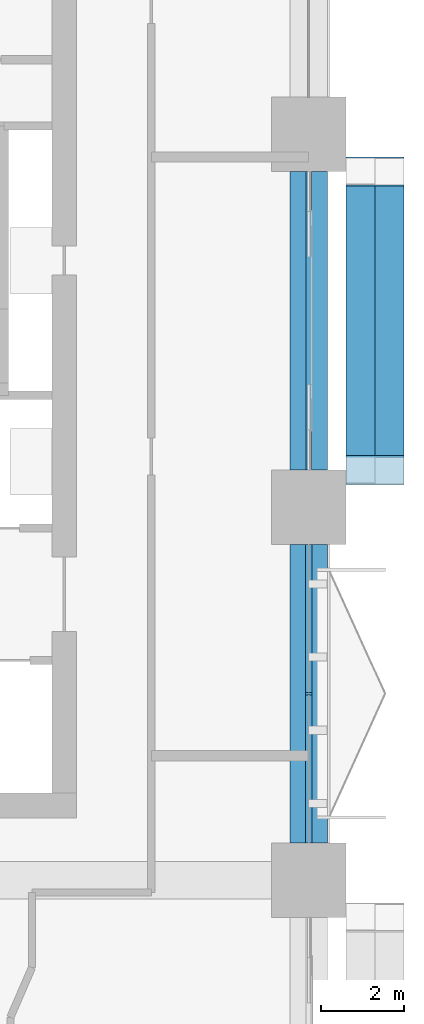
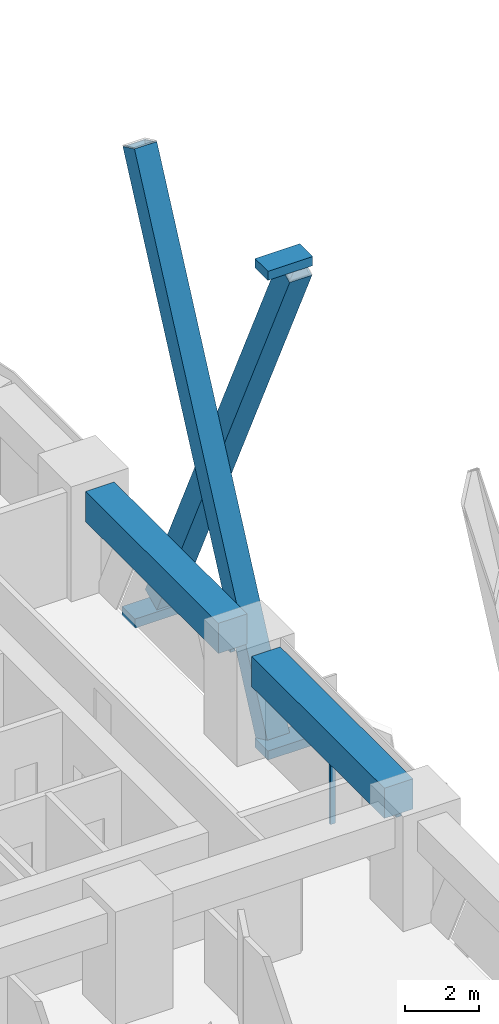
# One storey, part 8 of 22: 8 members, 2 beams, 2 elements without a shape of their own.
"""IFC4 building model written with IfcOpenShell, lengths in metres."""

from ifc_helpers import new_model, si_unit, direction, frame, origin, origin_2d, place, context, subcontext, project, spatial, rectangle, hollow_rectangle, extrude, material, layer, layer_set, material_profile, profile_set, type_object, element, aggregate, save


model = new_model("IFC4")

# Units and contexts
model_context = context("Model", 3, precision=1e-05, world=origin(), true_north=direction((0.0, 1.0)))
body_context = subcontext(model_context, "Body", "Model", "MODEL_VIEW")
ifc_project = project(units=[si_unit("LENGTHUNIT", "METRE"), si_unit("AREAUNIT", "SQUARE_METRE"), si_unit("VOLUMEUNIT", "CUBIC_METRE"), si_unit("PLANEANGLEUNIT", "RADIAN"), si_unit("MASSUNIT", "GRAM", prefix="KILO")], contexts=[model_context])

# Site, building, storey
site_placement = place(None, origin())
site = spatial("IfcSite", under=ifc_project, at=site_placement, CompositionType="ELEMENT")
building_placement = place(site_placement, origin())
building = spatial("IfcBuilding", under=site, at=building_placement, Name="Tessera Arch", CompositionType="ELEMENT")
storey_placement = place(building_placement, frame((0.0, 0.0, 77.800048828125)))
storey = spatial("IfcBuildingStorey", under=building, at=storey_placement, Name="L17", CompositionType="ELEMENT", Elevation=77.800048828125)

# Members
ifc_material_1 = material(Name="Steel A572 Gr50", Category="steel")
ifc_material_profile_1 = material_profile(ifc_material_1, hollow_rectangle(XDim=0.699951171875, YDim=0.699951171875, WallThickness=0.050048828125, at=origin_2d()), Name="BOX 700x700x50")
ifc_profile_set_1 = profile_set([ifc_material_profile_1], Name="Steel A572 Gr50")
member_type_1 = type_object("IfcMemberType", Name="Brace BOX 700x700x50 Steel A572 Gr50", PredefinedType="BRACE", material=ifc_profile_set_1)
for number, where, z_axis, x_axis, name in (
    (1, (55.25, 36.89990234375, -0.800048828125), (0.0, 0.428096952335, 0.903732814167), (-1.0, 0.0, 0.0), "Brace E54.0-4 A L17-L20"),
    (2, (55.949951171875, 44.10009765625, -0.800048828125), (0.0, -0.428096952335, 0.903732814167), (1.0, 0.0, 0.0), "Brace E54.0-4 B L17-L20"),
):
    element("IfcMember", number, at=place(storey_placement, frame(where, z_axis=z_axis, x_axis=x_axis)), inside=storey, type_object=member_type_1, Name=name, PredefinedType="BRACE", context=body_context, shape_type="SweptSolid", body=[
        extrude(hollow_rectangle(XDim=0.699951171875, YDim=0.699951171875, WallThickness=0.050048828125, at=origin_2d()), origin(), (0.0, 0.0, 1.0), 16.819091796875),
    ])

# Curtain wall, members
ifc_material_2 = material(Name="CW1 curtain wall")
curtain_wall_type_1 = type_object("IfcCurtainWallType", Name="CW1 curtain wall", PredefinedType="NOTDEFINED", material=ifc_material_2)
curtain_wall_1_placement = place(storey_placement, origin())
curtain_wall_1 = element("IfcCurtainWall", 3, at=curtain_wall_1_placement, inside=storey, type_object=curtain_wall_type_1, Name="CW1 curtain wall E54.0/3 L17", PredefinedType="NOTDEFINED")
ifc_material_3 = material(Name="Anodised aluminium pale metal", Category="aluminium")
ifc_material_profile_2 = material_profile(ifc_material_3, rectangle(XDim=0.159912109375, YDim=0.06005859375, at=origin_2d()), Name="AL 60x160")
ifc_profile_set_2 = profile_set([ifc_material_profile_2], Name="Anodised aluminium pale metal")
member_type_2 = type_object("IfcMemberType", Name="CW1 mullion", PredefinedType="MULLION", material=ifc_profile_set_2)
member_1_placement = place(storey_placement, frame((54.0, 31.5, 0.0), z_axis=(0.0, 0.0, 1.0), x_axis=(-1.0, 0.0, 0.0)))
member_1 = element("IfcMember", 4, at=member_1_placement, type_object=member_type_2, Name="CW1 mullion E54.0/3 1", PredefinedType="MULLION", context=body_context, shape_type="SweptSolid", body=[
    extrude(rectangle(XDim=0.159912109375, YDim=0.06005859375, at=origin_2d()), origin(), (0.0, 0.0, 1.0), 2.39990234375),
])
ifc_material_4 = material(Name="Anodised aluminium pale metal", Category="aluminium")
ifc_material_profile_3 = material_profile(ifc_material_4, rectangle(XDim=0.159912109375, YDim=0.10009765625, at=origin_2d()), Name="AL 160x100")
ifc_profile_set_3 = profile_set([ifc_material_profile_3], Name="Anodised aluminium pale metal")
member_type_3 = type_object("IfcMemberType", Name="CW1 transom", PredefinedType="USERDEFINED", material=ifc_profile_set_3)
member_2_placement = place(storey_placement, frame((54.0, 27.89990234375, 2.449951171875), z_axis=(0.0, 1.0, 0.0), x_axis=(-1.0, 0.0, 0.0)))
member_2 = element("IfcMember", 5, at=member_2_placement, type_object=member_type_3, Name="CW1 transom E54.0/3 1.1", ObjectType="TRANSOM", PredefinedType="USERDEFINED", context=body_context, shape_type="SweptSolid", body=[
    extrude(rectangle(XDim=0.159912109375, YDim=0.10009765625, at=origin_2d()), origin(), (0.0, 0.0, 1.0), 7.2001953125),
])
aggregate(curtain_wall_1, [member_1, member_2])

# Curtain wall, member
ifc_material_5 = material(Name="CW3 curtain wall")
curtain_wall_type_2 = type_object("IfcCurtainWallType", Name="CW3 curtain wall", PredefinedType="NOTDEFINED", material=ifc_material_5)
curtain_wall_2_placement = place(storey_placement, origin())
curtain_wall_2 = element("IfcCurtainWall", 6, at=curtain_wall_2_placement, inside=storey, type_object=curtain_wall_type_2, Name="CW3 curtain wall E54.0/4 L17", PredefinedType="NOTDEFINED")
ifc_material_6 = material(Name="Anodised aluminium pale metal", Category="aluminium")
ifc_material_profile_4 = material_profile(ifc_material_6, rectangle(XDim=0.139892578125, YDim=0.10009765625, at=origin_2d()), Name="AL 140x100")
ifc_profile_set_4 = profile_set([ifc_material_profile_4], Name="Anodised aluminium pale metal")
member_type_4 = type_object("IfcMemberType", Name="CW3 transom", PredefinedType="USERDEFINED", material=ifc_profile_set_4)
member_3_placement = place(storey_placement, frame((54.0, 36.89990234375, 2.449951171875), z_axis=(0.0, 1.0, 0.0), x_axis=(-1.0, 0.0, 0.0)))
member_3 = element("IfcMember", 7, at=member_3_placement, type_object=member_type_4, Name="CW3 transom E54.0/4 1.1", ObjectType="TRANSOM", PredefinedType="USERDEFINED", context=body_context, shape_type="SweptSolid", body=[
    extrude(rectangle(XDim=0.139892578125, YDim=0.10009765625, at=origin_2d()), origin(), (0.0, 0.0, 1.0), 7.2001953125),
])
aggregate(curtain_wall_2, [member_3])

# Members
ifc_material_7 = material(Name="Steel A572 Gr50", Category="steel")
ifc_layer = layer(ifc_material_7, 0.050048828125)
ifc_layer_set = layer_set([ifc_layer], Name="Node block Steel A572 Gr50")
member_type_5 = type_object("IfcMemberType", Name="Node block Steel A572 Gr50", PredefinedType="PLATE", material=ifc_layer_set)
for number, where, z_axis, x_axis, name in (
    (8, (55.60009765625, 44.10009765625, -1.2861328125), (0.0, 0.0, 1.0), (0.0, 1.0, 0.0), "Node block seat E54.0-4 1 L17"),
    (9, (55.60009765625, 36.89990234375, -1.2861328125), (0.0, 0.0, 1.0), (0.0, 1.0, 0.0), "Node block seat E54.0-4 2 L17"),
    (10, (55.60009765625, 36.89990234375, 14.5859375), (0.0, 0.0, 1.0), (0.0, 1.0, 0.0), "Node block head E54.0-4 B L17"),
):
    element("IfcMember", number, at=place(storey_placement, frame(where, z_axis=z_axis, x_axis=x_axis)), inside=storey, type_object=member_type_5, Name=name, PredefinedType="PLATE", context=body_context, shape_type="SweptSolid", body=[
        extrude(rectangle(XDim=0.699951171875, YDim=1.39990234375, at=origin_2d()), origin(), (0.0, 0.0, 1.0), 0.300048828125),
    ])

# Beams
ifc_material_8 = material(Name="Concrete C80/95", Category="concrete")
ifc_material_profile_5 = material_profile(ifc_material_8, rectangle(XDim=0.89990234375, YDim=1.0, at=origin_2d()), Name="RC spandrel beam 900 x 1000 Concrete C80/95")
ifc_profile_set_5 = profile_set([ifc_material_profile_5], Name="Concrete C80/95")
beam_type = type_object("IfcBeamType", Name="RC spandrel beam 900 x 1000 Concrete C80/95", PredefinedType="BEAM", material=ifc_profile_set_5)
for number, where, z_axis, x_axis, name in (
    (11, (54.0, 27.89990234375, 3.0), (0.0, 1.0, 0.0), (-1.0, 0.0, 0.0), "Spandrel beam L17 E54.0/3"),
    (12, (54.0, 36.89990234375, 3.0), (0.0, 1.0, 0.0), (-1.0, 0.0, 0.0), "Spandrel beam L17 E54.0/4"),
):
    element("IfcBeam", number, at=place(storey_placement, frame(where, z_axis=z_axis, x_axis=x_axis)), inside=storey, type_object=beam_type, Name=name, PredefinedType="BEAM", context=body_context, shape_type="SweptSolid", body=[
        extrude(rectangle(XDim=0.89990234375, YDim=1.0, at=origin_2d()), origin(), (0.0, 0.0, 1.0), 7.2001953125),
    ])

save(model, "model.ifc")
